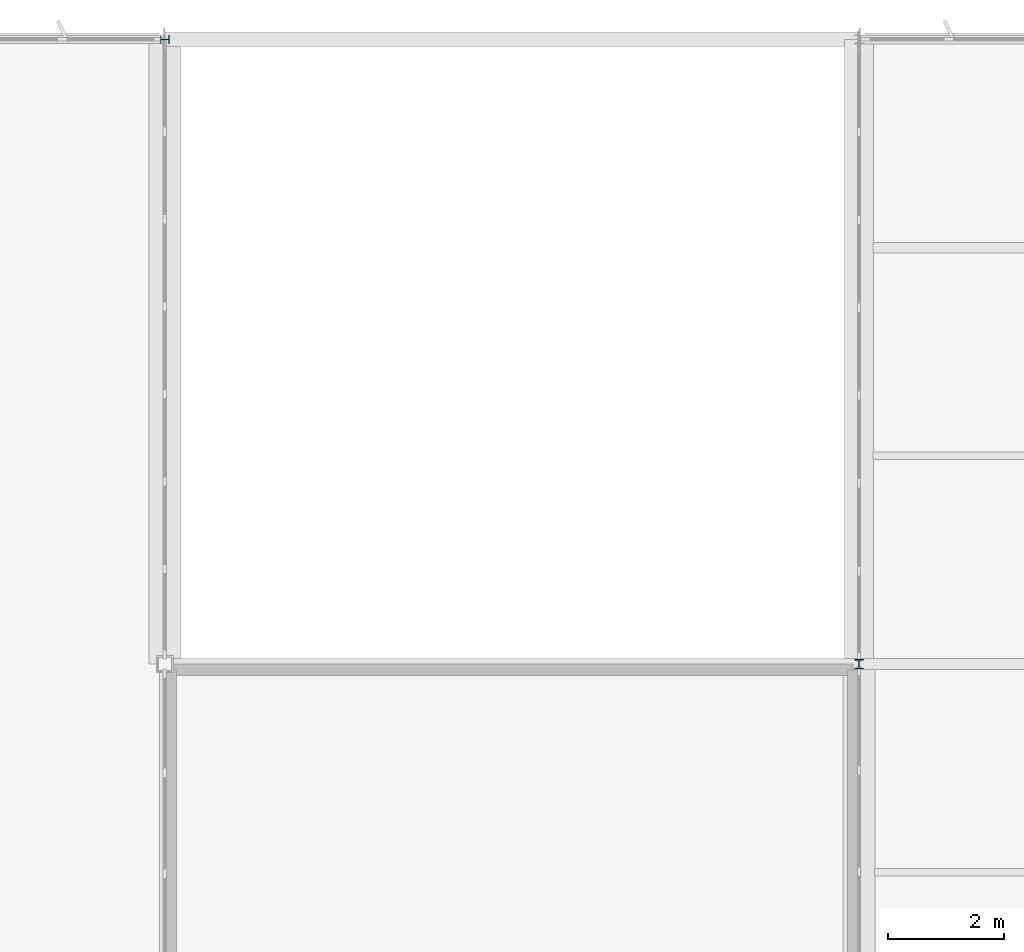
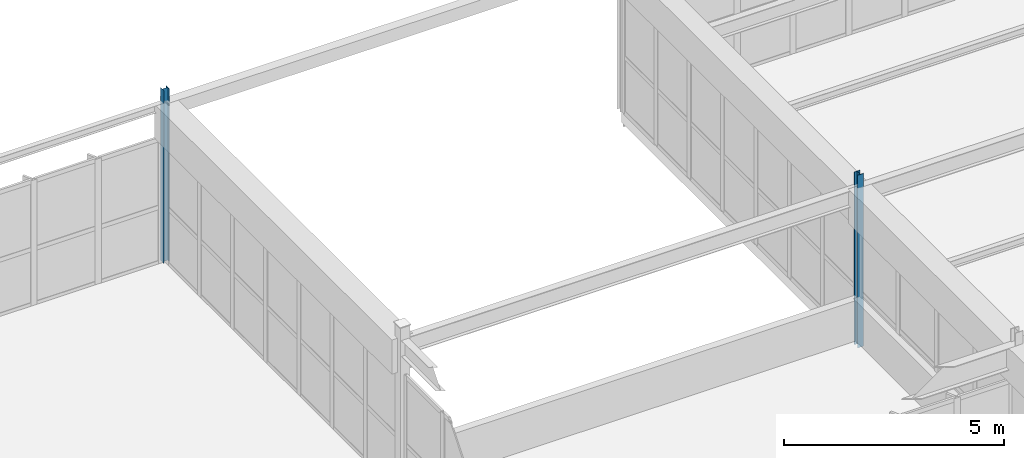
# One storey, part 56 of 226: 2 columns.
"""IFC4 building model written with IfcOpenShell, lengths in metres."""

from ifc_helpers import new_model, si_unit, direction, frame, origin, origin_2d, place, context, subcontext, project, spatial, i_section, extrude, material, material_profile, profile_set, type_object, element, save


model = new_model("IFC4")

# Units and contexts
model_context = context("Model", 3, precision=1e-05, world=origin(), true_north=direction((0.0, 1.0)))
body_context = subcontext(model_context, "Body", "Model", "MODEL_VIEW")
ifc_project = project(units=[si_unit("LENGTHUNIT", "METRE"), si_unit("AREAUNIT", "SQUARE_METRE"), si_unit("VOLUMEUNIT", "CUBIC_METRE"), si_unit("PLANEANGLEUNIT", "RADIAN"), si_unit("MASSUNIT", "GRAM", prefix="KILO")], contexts=[model_context])

# Site, building, storey
site_placement = place(None, origin())
site = spatial("IfcSite", under=ifc_project, at=site_placement, CompositionType="ELEMENT")
building_placement = place(site_placement, origin())
building = spatial("IfcBuilding", under=site, at=building_placement, Name="Tarnwether General Hospital", CompositionType="ELEMENT")
storey_placement = place(building_placement, frame((0.0, 0.0, 4.800048828125)))
storey = spatial("IfcBuildingStorey", under=building, at=storey_placement, Name="L01", CompositionType="ELEMENT", Elevation=4.800048828125)

# Columns
ifc_material_1 = material(Name="Steel Grade 350 (350 MPa)", Category="steel")
ifc_material_profile_1 = material_profile(ifc_material_1, i_section(OverallWidth=0.153076171875, OverallDepth=0.157958984375, WebThickness=0.006591796875, FlangeThickness=0.009521484375, at=origin_2d()), Name="150UC30.0")
ifc_profile_set_1 = profile_set([ifc_material_profile_1], Name="Steel Grade 350 (350 MPa)")
column_type_1 = type_object("IfcColumnType", Name="COL-31", PredefinedType="COLUMN", material=ifc_profile_set_1)
column_1_placement = place(storey_placement, frame((144.0, 115.199951171875, 0.0), z_axis=(0.0, 0.0, 1.0), x_axis=(1.0, 0.0, 0.0)))
element("IfcColumn", 1, at=column_1_placement, inside=storey, type_object=column_type_1, Name="Column COLG-L01-14400_11520", PredefinedType="COLUMN", context=body_context, shape_type="SweptSolid", body=[
    extrude(i_section(OverallWidth=0.153076171875, OverallDepth=0.157958984375, WebThickness=0.006591796875, FlangeThickness=0.009521484375, at=origin_2d()), origin(), (0.0, 0.0, 1.0), 4.800048828125),
])
ifc_material_2 = material(Name="Steel Grade 350 (350 MPa)", Category="steel")
ifc_material_profile_2 = material_profile(ifc_material_2, i_section(OverallWidth=0.152099609375, OverallDepth=0.152099609375, WebThickness=0.006103515625, FlangeThickness=0.0068359375, at=origin_2d()), Name="150UC23.4")
ifc_profile_set_2 = profile_set([ifc_material_profile_2], Name="Steel Grade 350 (350 MPa)")
column_type_2 = type_object("IfcColumnType", Name="COL-32", PredefinedType="COLUMN", material=ifc_profile_set_2)
column_2_placement = place(storey_placement, frame((132.0, 126.0, 0.0), z_axis=(0.0, 0.0, 1.0), x_axis=(0.0, 1.0, 0.0)))
element("IfcColumn", 2, at=column_2_placement, inside=storey, type_object=column_type_2, Name="Column COLG-L01-13200_12600", PredefinedType="COLUMN", context=body_context, shape_type="SweptSolid", body=[
    extrude(i_section(OverallWidth=0.152099609375, OverallDepth=0.152099609375, WebThickness=0.006103515625, FlangeThickness=0.0068359375, at=origin_2d()), origin(), (0.0, 0.0, 1.0), 4.800048828125),
])

save(model, "model.ifc")
